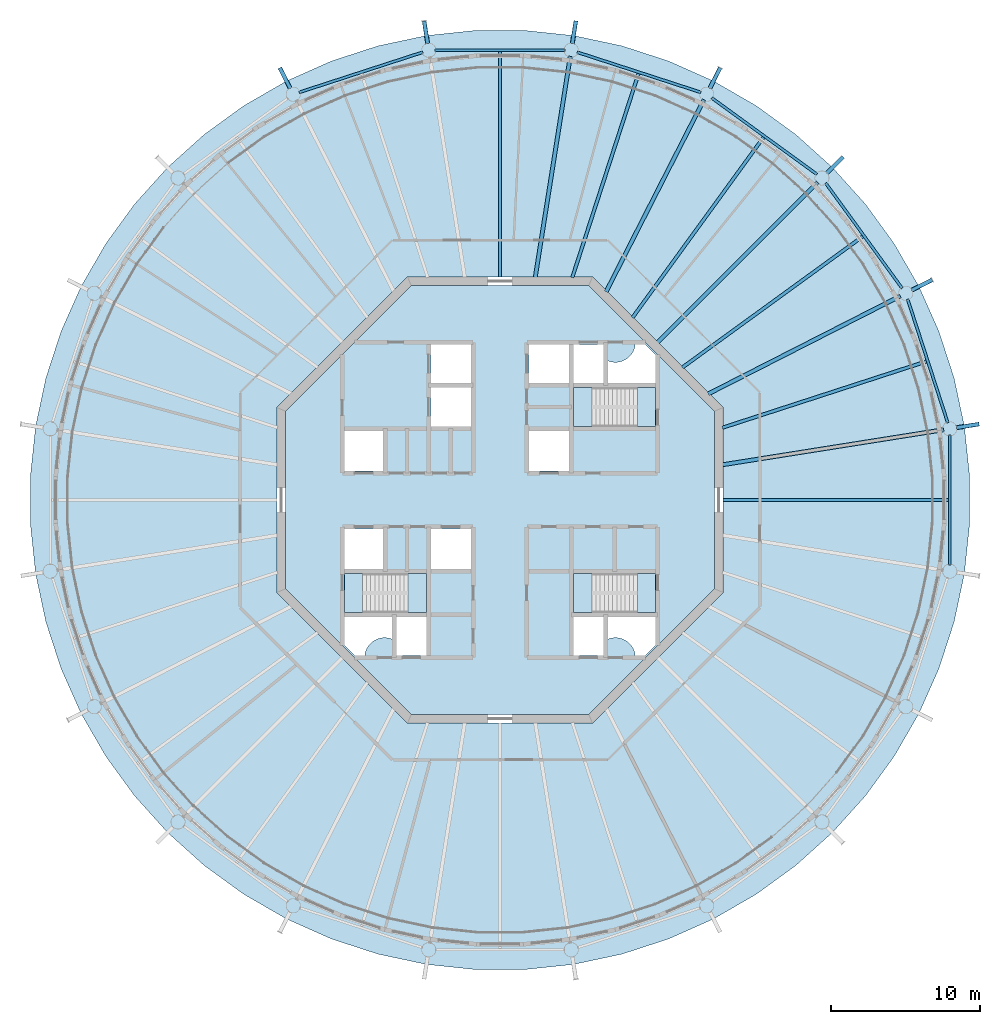
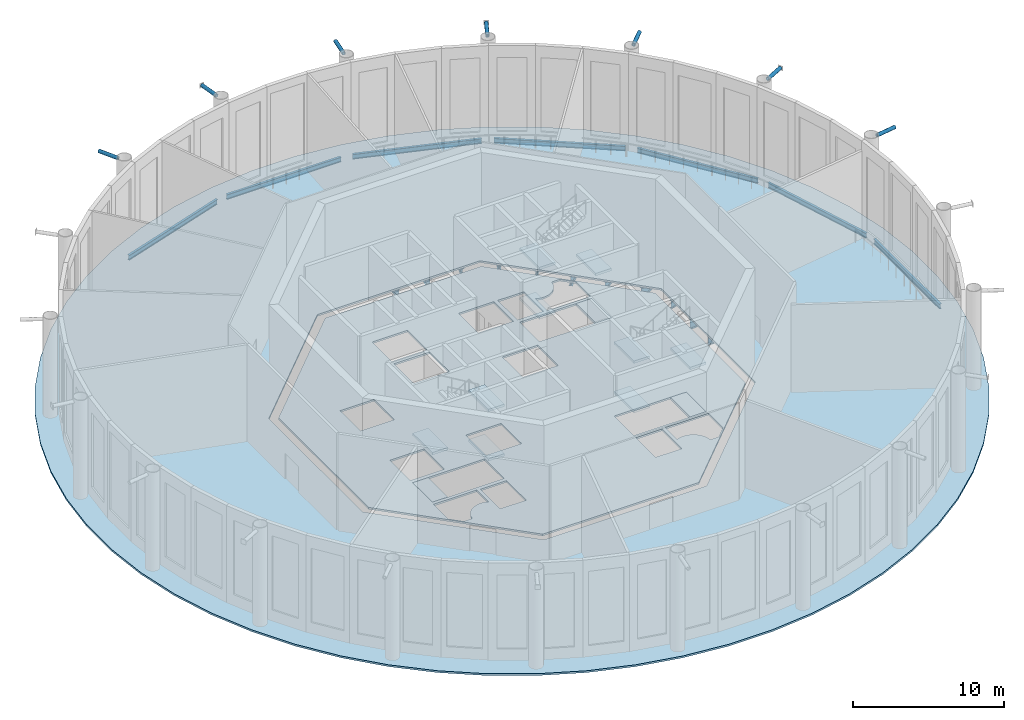
# One storey, part 2 of 17: 18 beams, 14 slabs, 7 members, 3 elements without a shape of their own.
"""IFC4 building model written with IfcOpenShell, lengths in metres."""

from ifc_helpers import new_model, si_unit, direction, frame, origin, origin_2d, place, context, subcontext, project, spatial, polyline, circle, hollow_circle, i_section, outline, extrude, material, layer, layer_set, material_profile, profile_set, type_object, element, aggregate, save


model = new_model("IFC4")

# Units and contexts
model_context = context("Model", 3, precision=1e-05, world=origin(), true_north=direction((0.0, 1.0)))
body_context = subcontext(model_context, "Body", "Model", "MODEL_VIEW")
ifc_project = project(units=[si_unit("LENGTHUNIT", "METRE"), si_unit("AREAUNIT", "SQUARE_METRE"), si_unit("VOLUMEUNIT", "CUBIC_METRE"), si_unit("PLANEANGLEUNIT", "RADIAN"), si_unit("MASSUNIT", "GRAM", prefix="KILO")], contexts=[model_context])

# Site, building, storey
site_placement = place(None, origin())
site = spatial("IfcSite", under=ifc_project, at=site_placement, CompositionType="ELEMENT")
building_placement = place(site_placement, origin())
building = spatial("IfcBuilding", under=site, at=building_placement, Name="Entoto Ring Tower", CompositionType="ELEMENT")
storey_placement = place(building_placement, frame((0.0, 0.0, 407.0)))
storey = spatial("IfcBuildingStorey", under=building, at=storey_placement, Name="L93", CompositionType="ELEMENT", Elevation=407.0)

# Members
ifc_material_1 = material(Name="Steel S355", Category="steel")
ifc_material_profile_1 = material_profile(ifc_material_1, hollow_circle(Radius=0.136474609375, WallThickness=0.012451171875, at=origin_2d()), Name="CHS 273 x 12.5")
ifc_material_2 = material(Name="Concrete C60/75", Category="concrete")
ifc_material_profile_2 = material_profile(ifc_material_2, circle(Radius=0.1240234375, at=origin_2d()), Name="Concrete C60/75 infill")
ifc_profile_set_1 = profile_set([ifc_material_profile_1, ifc_material_profile_2], Name="Steel S355")
member_type = type_object("IfcMemberType", Name="Diagrid node strut 273 x 12.5", PredefinedType="STRUT", material=ifc_profile_set_1)
member_1_placement = place(storey_placement, frame((120.678466796875, 84.85888671875, 7.71337890625), z_axis=(0.987670196765, 0.156548977711, 0.0), x_axis=(-0.156548977711, 0.987670196765, 0.0)))
element("IfcMember", 1, at=member_1_placement, inside=storey, type_object=member_type, Name="DS2 strut ring 30 01", PredefinedType="STRUT", context=body_context, shape_type="SweptSolid", body=[
    extrude(hollow_circle(Radius=0.136474609375, WallThickness=0.012451171875, at=origin_2d()), origin(), (0.0, 0.0, 1.0), 1.539306640625),
])
member_2_placement = place(storey_placement, frame((117.675537109375, 94.101318359375, 7.71337890625), z_axis=(0.891006809714, 0.453989939363, 0.0), x_axis=(-0.453989939363, 0.891006809714, 0.0)))
element("IfcMember", 2, at=member_2_placement, inside=storey, type_object=member_type, Name="DS2 strut ring 30 02", PredefinedType="STRUT", context=body_context, shape_type="SweptSolid", body=[
    extrude(hollow_circle(Radius=0.136474609375, WallThickness=0.012451171875, at=origin_2d()), origin(), (0.0, 0.0, 1.0), 1.5390625),
])
member_3_placement = place(storey_placement, frame((111.96337890625, 101.96337890625, 7.71337890625), z_axis=(0.707106781187, 0.707106781187, 0.0), x_axis=(-0.707106781187, 0.707106781187, 0.0)))
element("IfcMember", 3, at=member_3_placement, inside=storey, type_object=member_type, Name="DS2 strut ring 30 03", PredefinedType="STRUT", context=body_context, shape_type="SweptSolid", body=[
    extrude(hollow_circle(Radius=0.136474609375, WallThickness=0.012451171875, at=origin_2d()), origin(), (0.0, 0.0, 1.0), 1.539306640625),
])
member_4_placement = place(storey_placement, frame((104.101318359375, 107.675537109375, 7.71337890625), z_axis=(0.453989939363, 0.891006809714, 0.0), x_axis=(-0.891006809714, 0.453989939363, 0.0)))
element("IfcMember", 4, at=member_4_placement, inside=storey, type_object=member_type, Name="DS2 strut ring 30 04", PredefinedType="STRUT", context=body_context, shape_type="SweptSolid", body=[
    extrude(hollow_circle(Radius=0.136474609375, WallThickness=0.012451171875, at=origin_2d()), origin(), (0.0, 0.0, 1.0), 1.5390625),
])
for number, where, z_axis, x_axis, name in (
    (5, (94.85888671875, 110.678466796875, 7.71337890625), (0.156548977711, 0.987670196765, 0.0), (-0.987670196765, 0.156548977711, 0.0), "DS2 strut ring 30 05"),
    (6, (85.14111328125, 110.678466796875, 7.71337890625), (-0.156548977711, 0.987670196765, 0.0), (-0.987670196765, -0.156548977711, 0.0), "DS2 strut ring 30 06"),
):
    element("IfcMember", number, at=place(storey_placement, frame(where, z_axis=z_axis, x_axis=x_axis)), inside=storey, type_object=member_type, Name=name, PredefinedType="STRUT", context=body_context, shape_type="SweptSolid", body=[
        extrude(hollow_circle(Radius=0.136474609375, WallThickness=0.012451171875, at=origin_2d()), origin(), (0.0, 0.0, 1.0), 1.539306640625),
    ])
member_5_placement = place(storey_placement, frame((75.898681640625, 107.675537109375, 7.71337890625), z_axis=(-0.453989939363, 0.891006809714, 0.0), x_axis=(-0.891006809714, -0.453989939363, 0.0)))
element("IfcMember", 7, at=member_5_placement, inside=storey, type_object=member_type, Name="DS2 strut ring 30 07", PredefinedType="STRUT", context=body_context, shape_type="SweptSolid", body=[
    extrude(hollow_circle(Radius=0.136474609375, WallThickness=0.012451171875, at=origin_2d()), origin(), (0.0, 0.0, 1.0), 1.5390625),
])

# Beams
ifc_material_3 = material(Name="Steel S355", Category="steel")
ifc_material_profile_3 = material_profile(ifc_material_3, i_section(OverallWidth=0.179931640625, OverallDepth=0.39990234375, WebThickness=0.008544921875, FlangeThickness=0.013427734375, FilletRadius=0.02099609375, at=origin_2d()), Name="IPE 400")
ifc_profile_set_2 = profile_set([ifc_material_profile_3], Name="Steel S355")
beam_type_1 = type_object("IfcBeamType", Name="Edge beam IPE 400", PredefinedType="SPANDREL", material=ifc_profile_set_2)
beam_1_placement = place(storey_placement, frame((120.09326171875, 85.187255859375, -0.35009765625), z_axis=(-0.309030438368, 0.951052147972, 0.0), x_axis=(-0.951052147972, -0.309030438368, 0.0)))
element("IfcBeam", 8, at=beam_1_placement, inside=storey, type_object=beam_type_1, Name="Edge beam L93 01", PredefinedType="SPANDREL", context=body_context, shape_type="SweptSolid", body=[
    extrude(i_section(OverallWidth=0.179931640625, OverallDepth=0.39990234375, WebThickness=0.008544921875, FlangeThickness=0.013427734375, FilletRadius=0.02099609375, at=origin_2d()), origin(), (0.0, 0.0, 1.0), 8.732177734375),
])
for number, where, z_axis, x_axis, name in (
    (9, (117.017333984375, 94.232666015625, -0.35009765625), (-0.587794254874, 0.80901045354, 0.0), (-0.80901045354, -0.587794254874, 0.0), "Edge beam L93 02"),
    (10, (111.296875, 101.884765625, -0.35009765625), (-0.80901045354, 0.587794254874, 0.0), (-0.587794254874, -0.80901045354, 0.0), "Edge beam L93 03"),
):
    element("IfcBeam", number, at=place(storey_placement, frame(where, z_axis=z_axis, x_axis=x_axis)), inside=storey, type_object=beam_type_1, Name=name, PredefinedType="SPANDREL", context=body_context, shape_type="SweptSolid", body=[
        extrude(i_section(OverallWidth=0.179931640625, OverallDepth=0.39990234375, WebThickness=0.008544921875, FlangeThickness=0.013427734375, FilletRadius=0.02099609375, at=origin_2d()), origin(), (0.0, 0.0, 1.0), 8.73193359375),
    ])
beam_2_placement = place(storey_placement, frame((103.491943359375, 107.394775390625, -0.35009765625), z_axis=(-0.951052147972, 0.309030438368, 0.0), x_axis=(-0.309030438368, -0.951052147972, 0.0)))
element("IfcBeam", 11, at=beam_2_placement, inside=storey, type_object=beam_type_1, Name="Edge beam L93 04", PredefinedType="SPANDREL", context=body_context, shape_type="SweptSolid", body=[
    extrude(i_section(OverallWidth=0.179931640625, OverallDepth=0.39990234375, WebThickness=0.008544921875, FlangeThickness=0.013427734375, FilletRadius=0.02099609375, at=origin_2d()), origin(), (0.0, 0.0, 1.0), 8.732177734375),
])
beam_3_placement = place(storey_placement, frame((94.365966796875, 110.22314453125, -0.35009765625), z_axis=(-1.0, 0.0, 0.0), x_axis=(0.0, -1.0, 0.0)))
element("IfcBeam", 12, at=beam_3_placement, inside=storey, type_object=beam_type_1, Name="Edge beam L93 05", PredefinedType="SPANDREL", context=body_context, shape_type="SweptSolid", body=[
    extrude(i_section(OverallWidth=0.179931640625, OverallDepth=0.39990234375, WebThickness=0.008544921875, FlangeThickness=0.013427734375, FilletRadius=0.02099609375, at=origin_2d()), origin(), (0.0, 0.0, 1.0), 8.73193359375),
])
beam_4_placement = place(storey_placement, frame((84.812744140625, 110.09326171875, -0.35009765625), z_axis=(-0.951052147972, -0.309030438368, 0.0), x_axis=(0.309030438368, -0.951052147972, 0.0)))
element("IfcBeam", 13, at=beam_4_placement, inside=storey, type_object=beam_type_1, Name="Edge beam L93 06", PredefinedType="SPANDREL", context=body_context, shape_type="SweptSolid", body=[
    extrude(i_section(OverallWidth=0.179931640625, OverallDepth=0.39990234375, WebThickness=0.008544921875, FlangeThickness=0.013427734375, FilletRadius=0.02099609375, at=origin_2d()), origin(), (0.0, 0.0, 1.0), 8.732177734375),
])
beam_5_placement = place(storey_placement, frame((120.22314453125, 75.634033203125, -0.35009765625), z_axis=(0.0, 1.0, 0.0), x_axis=(-1.0, 0.0, 0.0)))
element("IfcBeam", 14, at=beam_5_placement, inside=storey, type_object=beam_type_1, Name="Edge beam L93 20", PredefinedType="SPANDREL", context=body_context, shape_type="SweptSolid", body=[
    extrude(i_section(OverallWidth=0.179931640625, OverallDepth=0.39990234375, WebThickness=0.008544921875, FlangeThickness=0.013427734375, FilletRadius=0.02099609375, at=origin_2d()), origin(), (0.0, 0.0, 1.0), 8.73193359375),
])
ifc_material_4 = material(Name="Steel S355", Category="steel")
ifc_material_profile_4 = material_profile(ifc_material_4, i_section(OverallWidth=0.262939453125, OverallDepth=0.7529296875, WebThickness=0.011474609375, FlangeThickness=0.01708984375, FilletRadius=0.01708984375, at=origin_2d()), Name="IPE 750 x 137")
ifc_profile_set_3 = profile_set([ifc_material_profile_4], Name="Steel S355")
beam_type_2 = type_object("IfcBeamType", Name="Primary floor beam IPE 750 x 137", PredefinedType="BEAM", material=ifc_profile_set_3)
beam_6_placement = place(storey_placement, frame((104.959716796875, 82.369384765625, -0.526611328125), z_axis=(0.987688638122, 0.156432586517, 0.0), x_axis=(-0.156432586517, 0.987688638122, 0.0)))
element("IfcBeam", 15, at=beam_6_placement, inside=storey, type_object=beam_type_2, Name="Primary L93 R01", PredefinedType="BEAM", context=body_context, shape_type="SweptSolid", body=[
    extrude(i_section(OverallWidth=0.262939453125, OverallDepth=0.7529296875, WebThickness=0.011474609375, FlangeThickness=0.01708984375, FilletRadius=0.01708984375, at=origin_2d()), origin(), (0.0, 0.0, 1.0), 15.04345703125),
])
beam_7_placement = place(storey_placement, frame((103.9970703125, 87.1318359375, -0.526611328125), z_axis=(0.89100578373, 0.453991952968, 0.0), x_axis=(-0.453991952968, 0.89100578373, 0.0)))
element("IfcBeam", 16, at=beam_7_placement, inside=storey, type_object=beam_type_2, Name="Primary L93 R02", PredefinedType="BEAM", context=body_context, shape_type="SweptSolid", body=[
    extrude(i_section(OverallWidth=0.262939453125, OverallDepth=0.7529296875, WebThickness=0.011474609375, FlangeThickness=0.01708984375, FilletRadius=0.01708984375, at=origin_2d()), origin(), (0.0, 0.0, 1.0), 14.48046875),
])
beam_8_placement = place(storey_placement, frame((100.592529296875, 90.592529296875, -0.526611328125), z_axis=(0.707106781187, 0.707106781187, 0.0), x_axis=(-0.707106781187, 0.707106781187, 0.0)))
element("IfcBeam", 17, at=beam_8_placement, inside=storey, type_object=beam_type_2, Name="Primary L93 R03", PredefinedType="BEAM", context=body_context, shape_type="SweptSolid", body=[
    extrude(i_section(OverallWidth=0.262939453125, OverallDepth=0.7529296875, WebThickness=0.011474609375, FlangeThickness=0.01708984375, FilletRadius=0.01708984375, at=origin_2d()), origin(), (0.0, 0.0, 1.0), 15.209716796875),
])
beam_9_placement = place(storey_placement, frame((97.1318359375, 93.9970703125, -0.526611328125), z_axis=(0.453991952968, 0.89100578373, 0.0), x_axis=(-0.89100578373, 0.453991952968, 0.0)))
element("IfcBeam", 18, at=beam_9_placement, inside=storey, type_object=beam_type_2, Name="Primary L93 R04", PredefinedType="BEAM", context=body_context, shape_type="SweptSolid", body=[
    extrude(i_section(OverallWidth=0.262939453125, OverallDepth=0.7529296875, WebThickness=0.011474609375, FlangeThickness=0.01708984375, FilletRadius=0.01708984375, at=origin_2d()), origin(), (0.0, 0.0, 1.0), 14.48046875),
])
beam_10_placement = place(storey_placement, frame((92.369384765625, 94.959716796875, -0.526611328125), z_axis=(0.156432586517, 0.987688638122, 0.0), x_axis=(-0.987688638122, 0.156432586517, 0.0)))
element("IfcBeam", 19, at=beam_10_placement, inside=storey, type_object=beam_type_2, Name="Primary L93 R05", PredefinedType="BEAM", context=body_context, shape_type="SweptSolid", body=[
    extrude(i_section(OverallWidth=0.262939453125, OverallDepth=0.7529296875, WebThickness=0.011474609375, FlangeThickness=0.01708984375, FilletRadius=0.01708984375, at=origin_2d()), origin(), (0.0, 0.0, 1.0), 15.04345703125),
])
ifc_material_5 = material(Name="Steel S355", Category="steel")
ifc_material_profile_5 = material_profile(ifc_material_5, i_section(OverallWidth=0.219970703125, OverallDepth=0.60009765625, WebThickness=0.011962890625, FlangeThickness=0.01904296875, FilletRadius=0.02392578125, at=origin_2d()), Name="IPE 600")
ifc_profile_set_4 = profile_set([ifc_material_profile_5], Name="Steel S355")
beam_type_3 = type_object("IfcBeamType", Name="Secondary floor beam IPE 600", PredefinedType="JOIST", material=ifc_profile_set_4)
beam_11_placement = place(storey_placement, frame((104.947021484375, 84.856689453125, -0.449951171875), z_axis=(0.951057212949, 0.309014850288, 0.0), x_axis=(-0.309014850288, 0.951057212949, 0.0)))
element("IfcBeam", 20, at=beam_11_placement, inside=storey, type_object=beam_type_3, Name="Secondary beam L93 01", PredefinedType="JOIST", context=body_context, shape_type="SweptSolid", body=[
    extrude(i_section(OverallWidth=0.219970703125, OverallDepth=0.60009765625, WebThickness=0.011962890625, FlangeThickness=0.01904296875, FilletRadius=0.02392578125, at=origin_2d()), origin(), (0.0, 0.0, 1.0), 14.4169921875),
])
for number, where, z_axis, x_axis, name in (
    (21, (102.25634765625, 88.90478515625, -0.449951171875), (0.809019238239, 0.587782163866, 0.0), (-0.587782163866, 0.809019238239, 0.0), "Secondary beam L93 02"),
    (22, (98.90478515625, 92.25634765625, -0.449951171875), (0.587782163866, 0.809019238239, 0.0), (-0.809019238239, 0.587782163866, 0.0), "Secondary beam L93 03"),
):
    element("IfcBeam", number, at=place(storey_placement, frame(where, z_axis=z_axis, x_axis=x_axis)), inside=storey, type_object=beam_type_3, Name=name, PredefinedType="JOIST", context=body_context, shape_type="SweptSolid", body=[
        extrude(i_section(OverallWidth=0.219970703125, OverallDepth=0.60009765625, WebThickness=0.011962890625, FlangeThickness=0.01904296875, FilletRadius=0.02392578125, at=origin_2d()), origin(), (0.0, 0.0, 1.0), 14.983642578125),
    ])
beam_12_placement = place(storey_placement, frame((94.856689453125, 94.947021484375, -0.449951171875), z_axis=(0.309014850288, 0.951057212949, 0.0), x_axis=(-0.951057212949, 0.309014850288, 0.0)))
element("IfcBeam", 23, at=beam_12_placement, inside=storey, type_object=beam_type_3, Name="Secondary beam L93 04", PredefinedType="JOIST", context=body_context, shape_type="SweptSolid", body=[
    extrude(i_section(OverallWidth=0.219970703125, OverallDepth=0.60009765625, WebThickness=0.011962890625, FlangeThickness=0.01904296875, FilletRadius=0.02392578125, at=origin_2d()), origin(), (0.0, 0.0, 1.0), 14.4169921875),
])
for number, where, z_axis, x_axis, name in (
    (24, (90.0, 94.97998046875, -0.449951171875), (0.0, 1.0, 0.0), (-1.0, 0.0, 0.0), "Secondary beam L93 05"),
    (25, (104.97998046875, 80.0, -0.449951171875), (1.0, 0.0, 0.0), (0.0, 1.0, 0.0), "Secondary beam L93 20"),
):
    element("IfcBeam", number, at=place(storey_placement, frame(where, z_axis=z_axis, x_axis=x_axis)), inside=storey, type_object=beam_type_3, Name=name, PredefinedType="JOIST", context=body_context, shape_type="SweptSolid", body=[
        extrude(i_section(OverallWidth=0.219970703125, OverallDepth=0.60009765625, WebThickness=0.011962890625, FlangeThickness=0.01904296875, FilletRadius=0.02392578125, at=origin_2d()), origin(), (0.0, 0.0, 1.0), 15.1533203125),
    ])

# Slabs
ifc_material_6 = material(Name="Concrete C30/37", Category="concrete")
ifc_layer_1 = layer(ifc_material_6, 0.14990234375)
ifc_layer_set_1 = layer_set([ifc_layer_1], Name="Concrete C30/37")
slab_type_1 = type_object("IfcSlabType", Name="Composite floor slab 150 mm", PredefinedType="FLOOR", material=ifc_layer_set_1)
slab_1_placement = place(storey_placement, frame((0.0, 0.0, -0.14990234375)))
element("IfcSlab", 26, at=slab_1_placement, inside=storey, type_object=slab_type_1, Name="Floor slab L93", PredefinedType="FLOOR", context=body_context, shape_type="SweptSolid", body=[
    extrude(outline(polyline([(121.2109375, 84.943359375), (120.523193359375, 88.1787109375), (119.501220703125, 91.324462890625), (118.15576171875, 94.34619140625), (116.501953125, 97.210693359375), (114.557861328125, 99.886474609375), (112.344482421875, 102.344482421875), (109.886474609375, 104.557861328125), (107.210693359375, 106.501953125), (104.34619140625, 108.15576171875), (101.324462890625, 109.501220703125), (98.1787109375, 110.523193359375), (94.943359375, 111.2109375), (91.65380859375, 111.556640625), (88.34619140625, 111.556640625), (85.056640625, 111.2109375), (81.8212890625, 110.523193359375), (78.675537109375, 109.501220703125), (75.65380859375, 108.15576171875), (72.789306640625, 106.501953125), (70.113525390625, 104.557861328125), (67.655517578125, 102.344482421875), (65.442138671875, 99.886474609375), (63.498046875, 97.210693359375), (61.84423828125, 94.34619140625), (60.498779296875, 91.324462890625), (59.476806640625, 88.1787109375), (58.7890625, 84.943359375), (58.443359375, 81.65380859375), (58.443359375, 78.34619140625), (58.7890625, 75.056640625), (59.476806640625, 71.8212890625), (60.498779296875, 68.675537109375), (61.84423828125, 65.65380859375), (63.498046875, 62.789306640625), (65.442138671875, 60.113525390625), (67.655517578125, 57.655517578125), (70.113525390625, 55.442138671875), (72.789306640625, 53.498046875), (75.65380859375, 51.84423828125), (78.675537109375, 50.498779296875), (81.8212890625, 49.476806640625), (85.056640625, 48.7890625), (88.34619140625, 48.443359375), (91.65380859375, 48.443359375), (94.943359375, 48.7890625), (98.1787109375, 49.476806640625), (101.324462890625, 50.498779296875), (104.34619140625, 51.84423828125), (107.210693359375, 53.498046875), (109.886474609375, 55.442138671875), (112.344482421875, 57.655517578125), (114.557861328125, 60.113525390625), (116.501953125, 62.789306640625), (118.15576171875, 65.65380859375), (119.501220703125, 68.675537109375), (120.523193359375, 71.8212890625), (121.2109375, 75.056640625), (121.556640625, 78.34619140625), (121.556640625, 81.65380859375), (121.2109375, 84.943359375)]), holes=[polyline([(105.0, 73.786865234375), (105.0, 86.213134765625), (96.213134765625, 95.0), (83.786865234375, 95.0), (75.0, 86.213134765625), (75.0, 73.786865234375), (83.786865234375, 65.0), (96.213134765625, 65.0), (105.0, 73.786865234375)])]), origin(), (0.0, 0.0, 1.0), 0.14990234375),
])
ifc_material_7 = material(Name="Concrete C40/50", Category="concrete")
ifc_layer_2 = layer(ifc_material_7, 0.14990234375)
ifc_layer_set_2 = layer_set([ifc_layer_2], Name="Concrete C40/50")
slab_type_2 = type_object("IfcSlabType", Name="Core floor slab 150 mm reinforced concrete C40/50", PredefinedType="FLOOR", material=ifc_layer_set_2)
slab_2_placement = place(storey_placement, frame((0.0, 0.0, -0.14990234375)))
element("IfcSlab", 27, at=slab_2_placement, inside=storey, type_object=slab_type_2, Name="Core floor L93", PredefinedType="FLOOR", context=body_context, shape_type="SweptSolid", body=[
    extrude(outline(polyline([(104.39990234375, 74.035400390625), (104.39990234375, 85.964599609375), (95.964599609375, 94.39990234375), (84.035400390625, 94.39990234375), (75.60009765625, 85.964599609375), (75.60009765625, 74.035400390625), (84.035400390625, 65.60009765625), (95.964599609375, 65.60009765625), (104.39990234375, 74.035400390625)]), holes=[polyline([(100.449951171875, 84.949951171875), (100.449951171875, 87.550048828125), (94.949951171875, 87.550048828125), (94.949951171875, 84.949951171875), (100.449951171875, 84.949951171875)]), polyline([(85.050048828125, 72.449951171875), (85.050048828125, 75.050048828125), (79.550048828125, 75.050048828125), (79.550048828125, 72.449951171875), (85.050048828125, 72.449951171875)]), polyline([(100.449951171875, 72.449951171875), (100.449951171875, 75.050048828125), (94.949951171875, 75.050048828125), (94.949951171875, 72.449951171875), (100.449951171875, 72.449951171875)]), polyline([(94.949951171875, 90.449951171875), (94.949951171875, 87.85009765625), (96.949951171875, 87.85009765625), (96.949951171875, 90.449951171875), (94.949951171875, 90.449951171875)]), polyline([(94.949951171875, 72.14990234375), (94.949951171875, 69.550048828125), (96.949951171875, 69.550048828125), (96.949951171875, 72.14990234375), (94.949951171875, 72.14990234375)]), polyline([(83.050048828125, 72.14990234375), (83.050048828125, 69.550048828125), (85.050048828125, 69.550048828125), (85.050048828125, 72.14990234375), (83.050048828125, 72.14990234375)]), polyline([(79.550048828125, 81.949951171875), (82.14990234375, 81.949951171875), (82.14990234375, 84.64990234375), (79.550048828125, 84.64990234375), (79.550048828125, 81.949951171875)]), polyline([(79.550048828125, 75.35009765625), (82.14990234375, 75.35009765625), (82.14990234375, 78.050048828125), (79.550048828125, 78.050048828125), (79.550048828125, 75.35009765625)]), polyline([(91.949951171875, 87.85009765625), (94.64990234375, 87.85009765625), (94.64990234375, 90.449951171875), (91.949951171875, 90.449951171875), (91.949951171875, 87.85009765625)]), polyline([(91.949951171875, 81.949951171875), (94.64990234375, 81.949951171875), (94.64990234375, 84.64990234375), (91.949951171875, 84.64990234375), (91.949951171875, 81.949951171875)]), polyline([(85.35009765625, 75.35009765625), (88.050048828125, 75.35009765625), (88.050048828125, 78.050048828125), (85.35009765625, 78.050048828125), (85.35009765625, 75.35009765625)]), polyline([(85.35009765625, 84.949951171875), (88.050048828125, 84.949951171875), (88.050048828125, 87.550048828125), (85.35009765625, 87.550048828125), (85.35009765625, 84.949951171875)]), polyline([(85.35009765625, 87.85009765625), (88.050048828125, 87.85009765625), (88.050048828125, 90.449951171875), (85.35009765625, 90.449951171875), (85.35009765625, 87.85009765625)]), polyline([(97.199951171875, 89.368408203125), (97.199951171875, 87.800048828125), (100.5, 87.800048828125), (100.5, 89.723388671875), (99.723388671875, 90.5), (99.09521484375, 90.5), (99.093505859375, 90.4677734375), (99.07421875, 90.336669921875), (99.0419921875, 90.2080078125), (98.997314453125, 90.08349609375), (98.940673828125, 89.963623046875), (98.87255859375, 89.85009765625), (98.793701171875, 89.74365234375), (98.70458984375, 89.6455078125), (98.6064453125, 89.556396484375), (98.5, 89.4775390625), (98.386474609375, 89.409423828125), (98.2666015625, 89.352783203125), (98.141845703125, 89.30810546875), (98.013427734375, 89.27587890625), (97.88232421875, 89.256591796875), (97.75, 89.25), (97.61767578125, 89.256591796875), (97.486572265625, 89.27587890625), (97.358154296875, 89.30810546875), (97.2333984375, 89.352783203125), (97.199951171875, 89.368408203125)]), polyline([(80.276611328125, 69.5), (80.90478515625, 69.5), (80.906494140625, 69.5322265625), (80.92578125, 69.663330078125), (80.9580078125, 69.7919921875), (81.002685546875, 69.91650390625), (81.059326171875, 70.036376953125), (81.12744140625, 70.14990234375), (81.206298828125, 70.25634765625), (81.29541015625, 70.3544921875), (81.3935546875, 70.443603515625), (81.5, 70.5224609375), (81.613525390625, 70.590576171875), (81.7333984375, 70.647216796875), (81.858154296875, 70.69189453125), (81.986572265625, 70.72412109375), (82.11767578125, 70.743408203125), (82.25, 70.75), (82.38232421875, 70.743408203125), (82.513427734375, 70.72412109375), (82.641845703125, 70.69189453125), (82.7666015625, 70.647216796875), (82.800048828125, 70.631591796875), (82.800048828125, 72.199951171875), (79.5, 72.199951171875), (79.5, 70.276611328125), (80.276611328125, 69.5)]), polyline([(99.09521484375, 69.5), (99.723388671875, 69.5), (100.5, 70.276611328125), (100.5, 72.199951171875), (97.199951171875, 72.199951171875), (97.199951171875, 70.631591796875), (97.2333984375, 70.647216796875), (97.358154296875, 70.69189453125), (97.486572265625, 70.72412109375), (97.61767578125, 70.743408203125), (97.75, 70.75), (97.88232421875, 70.743408203125), (98.013427734375, 70.72412109375), (98.141845703125, 70.69189453125), (98.2666015625, 70.647216796875), (98.386474609375, 70.590576171875), (98.5, 70.5224609375), (98.6064453125, 70.443603515625), (98.70458984375, 70.3544921875), (98.793701171875, 70.25634765625), (98.87255859375, 70.14990234375), (98.940673828125, 70.036376953125), (98.997314453125, 69.91650390625), (99.0419921875, 69.7919921875), (99.07421875, 69.663330078125), (99.093505859375, 69.5322265625), (99.09521484375, 69.5)])]), origin(), (0.0, 0.0, 1.0), 0.14990234375),
])

# Stair, slabs
ifc_material_8 = material(Name="Concrete C40/50", Category="concrete")
stair_type = type_object("IfcStairType", Name="Exit stair 1200 mm dog-leg reinforced concrete", PredefinedType="HALF_TURN_STAIR", material=ifc_material_8)
stair_1_placement = place(storey_placement, origin())
stair_1 = element("IfcStair", 28, at=stair_1_placement, inside=storey, type_object=stair_type, Name="Exit stair 1", PredefinedType="HALF_TURN_STAIR")
ifc_material_9 = material(Name="Concrete C40/50", Category="concrete")
ifc_layer_3 = layer(ifc_material_9, 0.199951171875)
ifc_layer_set_3 = layer_set([ifc_layer_3], Name="Concrete C40/50")
slab_type_3 = type_object("IfcSlabType", Name="Stair landing 200 mm reinforced concrete", PredefinedType="LANDING", material=ifc_layer_set_3)
slab_3_placement = place(storey_placement, frame((0.0, 0.0, -0.199951171875)))
slab_3 = element("IfcSlab", 29, at=slab_3_placement, type_object=slab_type_3, Name="ST1 landing 1", PredefinedType="LANDING", context=body_context, shape_type="SweptSolid", body=[
    extrude(outline(polyline([(100.449951171875, 84.949951171875), (100.449951171875, 87.550048828125), (99.25, 87.550048828125), (99.25, 84.949951171875), (100.449951171875, 84.949951171875)])), origin(), (0.0, 0.0, 1.0), 0.199951171875),
])
slab_4_placement = place(storey_placement, frame((0.0, 0.0, 1.800048828125)))
slab_4 = element("IfcSlab", 30, at=slab_4_placement, type_object=slab_type_3, Name="ST1 landing 2", PredefinedType="LANDING", context=body_context, shape_type="SweptSolid", body=[
    extrude(outline(polyline([(94.949951171875, 84.949951171875), (96.169921875, 84.949951171875), (96.169921875, 87.550048828125), (94.949951171875, 87.550048828125), (94.949951171875, 84.949951171875)])), origin(), (0.0, 0.0, 1.0), 0.199951171875),
])
slab_5_placement = place(storey_placement, frame((0.0, 0.0, 3.800048828125)))
slab_5 = element("IfcSlab", 31, at=slab_5_placement, type_object=slab_type_3, Name="ST1 landing 3", PredefinedType="LANDING", context=body_context, shape_type="SweptSolid", body=[
    extrude(outline(polyline([(99.25, 84.949951171875), (100.449951171875, 84.949951171875), (100.449951171875, 87.550048828125), (99.25, 87.550048828125), (99.25, 84.949951171875)])), origin(), (0.0, 0.0, 1.0), 0.199951171875),
])
slab_6_placement = place(storey_placement, frame((0.0, 0.0, 5.800048828125)))
slab_6 = element("IfcSlab", 32, at=slab_6_placement, type_object=slab_type_3, Name="ST1 landing 4", PredefinedType="LANDING", context=body_context, shape_type="SweptSolid", body=[
    extrude(outline(polyline([(94.949951171875, 84.949951171875), (96.169921875, 84.949951171875), (96.169921875, 87.550048828125), (94.949951171875, 87.550048828125), (94.949951171875, 84.949951171875)])), origin(), (0.0, 0.0, 1.0), 0.199951171875),
])
aggregate(stair_1, [slab_3, slab_4, slab_5, slab_6])

stair_2_placement = place(storey_placement, origin())
stair_2 = element("IfcStair", 33, at=stair_2_placement, inside=storey, type_object=stair_type, Name="Exit stair 2", PredefinedType="HALF_TURN_STAIR")
slab_7_placement = place(storey_placement, frame((0.0, 0.0, -0.199951171875)))
slab_7 = element("IfcSlab", 34, at=slab_7_placement, type_object=slab_type_3, Name="ST2 landing 1", PredefinedType="LANDING", context=body_context, shape_type="SweptSolid", body=[
    extrude(outline(polyline([(80.75, 72.449951171875), (80.75, 75.050048828125), (79.550048828125, 75.050048828125), (79.550048828125, 72.449951171875), (80.75, 72.449951171875)])), origin(), (0.0, 0.0, 1.0), 0.199951171875),
])
slab_8_placement = place(storey_placement, frame((0.0, 0.0, 1.800048828125)))
slab_8 = element("IfcSlab", 35, at=slab_8_placement, type_object=slab_type_3, Name="ST2 landing 2", PredefinedType="LANDING", context=body_context, shape_type="SweptSolid", body=[
    extrude(outline(polyline([(83.830078125, 72.449951171875), (85.050048828125, 72.449951171875), (85.050048828125, 75.050048828125), (83.830078125, 75.050048828125), (83.830078125, 72.449951171875)])), origin(), (0.0, 0.0, 1.0), 0.199951171875),
])
slab_9_placement = place(storey_placement, frame((0.0, 0.0, 3.800048828125)))
slab_9 = element("IfcSlab", 36, at=slab_9_placement, type_object=slab_type_3, Name="ST2 landing 3", PredefinedType="LANDING", context=body_context, shape_type="SweptSolid", body=[
    extrude(outline(polyline([(79.550048828125, 72.449951171875), (80.75, 72.449951171875), (80.75, 75.050048828125), (79.550048828125, 75.050048828125), (79.550048828125, 72.449951171875)])), origin(), (0.0, 0.0, 1.0), 0.199951171875),
])
slab_10_placement = place(storey_placement, frame((0.0, 0.0, 5.800048828125)))
slab_10 = element("IfcSlab", 37, at=slab_10_placement, type_object=slab_type_3, Name="ST2 landing 4", PredefinedType="LANDING", context=body_context, shape_type="SweptSolid", body=[
    extrude(outline(polyline([(83.830078125, 72.449951171875), (85.050048828125, 72.449951171875), (85.050048828125, 75.050048828125), (83.830078125, 75.050048828125), (83.830078125, 72.449951171875)])), origin(), (0.0, 0.0, 1.0), 0.199951171875),
])
aggregate(stair_2, [slab_7, slab_8, slab_9, slab_10])

stair_3_placement = place(storey_placement, origin())
stair_3 = element("IfcStair", 38, at=stair_3_placement, inside=storey, type_object=stair_type, Name="Exit stair 3", PredefinedType="HALF_TURN_STAIR")
slab_11_placement = place(storey_placement, frame((0.0, 0.0, -0.199951171875)))
slab_11 = element("IfcSlab", 39, at=slab_11_placement, type_object=slab_type_3, Name="ST3 landing 1", PredefinedType="LANDING", context=body_context, shape_type="SweptSolid", body=[
    extrude(outline(polyline([(100.449951171875, 72.449951171875), (100.449951171875, 75.050048828125), (99.25, 75.050048828125), (99.25, 72.449951171875), (100.449951171875, 72.449951171875)])), origin(), (0.0, 0.0, 1.0), 0.199951171875),
])
slab_12_placement = place(storey_placement, frame((0.0, 0.0, 1.800048828125)))
slab_12 = element("IfcSlab", 40, at=slab_12_placement, type_object=slab_type_3, Name="ST3 landing 2", PredefinedType="LANDING", context=body_context, shape_type="SweptSolid", body=[
    extrude(outline(polyline([(94.949951171875, 72.449951171875), (96.169921875, 72.449951171875), (96.169921875, 75.050048828125), (94.949951171875, 75.050048828125), (94.949951171875, 72.449951171875)])), origin(), (0.0, 0.0, 1.0), 0.199951171875),
])
slab_13_placement = place(storey_placement, frame((0.0, 0.0, 3.800048828125)))
slab_13 = element("IfcSlab", 41, at=slab_13_placement, type_object=slab_type_3, Name="ST3 landing 3", PredefinedType="LANDING", context=body_context, shape_type="SweptSolid", body=[
    extrude(outline(polyline([(99.25, 72.449951171875), (100.449951171875, 72.449951171875), (100.449951171875, 75.050048828125), (99.25, 75.050048828125), (99.25, 72.449951171875)])), origin(), (0.0, 0.0, 1.0), 0.199951171875),
])
slab_14_placement = place(storey_placement, frame((0.0, 0.0, 5.800048828125)))
slab_14 = element("IfcSlab", 42, at=slab_14_placement, type_object=slab_type_3, Name="ST3 landing 4", PredefinedType="LANDING", context=body_context, shape_type="SweptSolid", body=[
    extrude(outline(polyline([(94.949951171875, 72.449951171875), (96.169921875, 72.449951171875), (96.169921875, 75.050048828125), (94.949951171875, 75.050048828125), (94.949951171875, 72.449951171875)])), origin(), (0.0, 0.0, 1.0), 0.199951171875),
])
aggregate(stair_3, [slab_11, slab_12, slab_13, slab_14])

save(model, "model.ifc")
